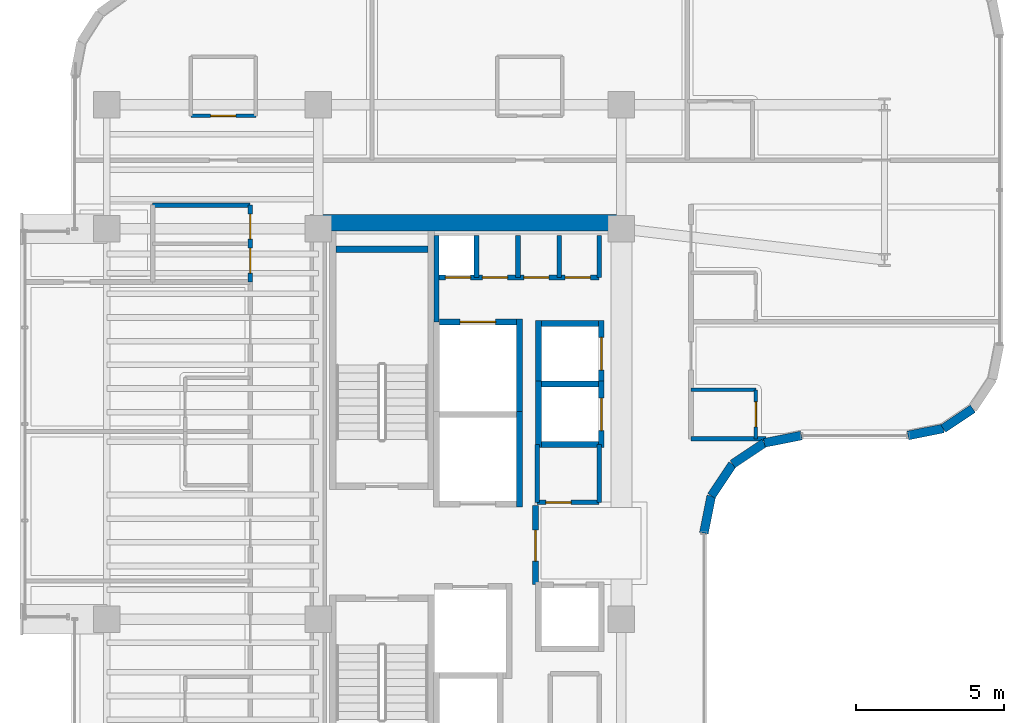
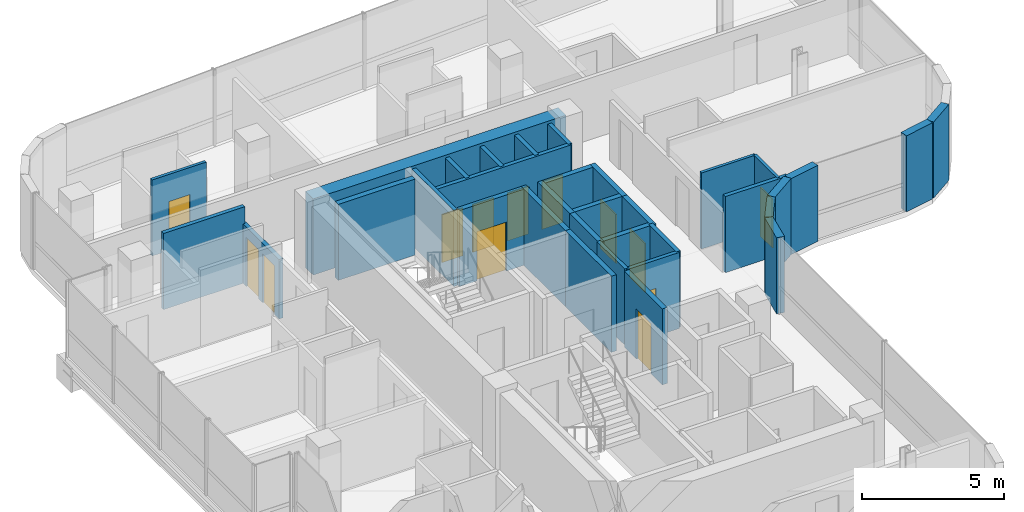
# One storey, part 18 of 22: 34 walls, 13 doors, 13 openings.
"""IFC4 building model written with IfcOpenShell, lengths in metres."""

from ifc_helpers import new_model, si_unit, direction, frame, frame_2d, origin, place, context, subcontext, project, spatial, rectangle, extrude, material, layer, layer_set, type_object, element, fill, save


model = new_model("IFC4")

# Units and contexts
model_context = context("Model", 3, precision=1e-05, world=origin(), true_north=direction((0.0, 1.0)))
body_context = subcontext(model_context, "Body", "Model", "MODEL_VIEW")
ifc_project = project(units=[si_unit("LENGTHUNIT", "METRE"), si_unit("AREAUNIT", "SQUARE_METRE"), si_unit("VOLUMEUNIT", "CUBIC_METRE"), si_unit("PLANEANGLEUNIT", "RADIAN"), si_unit("MASSUNIT", "GRAM", prefix="KILO")], contexts=[model_context])

# Site, building, storey
site_placement = place(None, origin())
site = spatial("IfcSite", under=ifc_project, at=site_placement, CompositionType="ELEMENT")
building_placement = place(site_placement, origin())
building = spatial("IfcBuilding", under=site, at=building_placement, Name="Valdorenza Pilgrim Sanctuary Tower", CompositionType="ELEMENT")
storey_placement = place(building_placement, frame((0.0, 0.0, 216.0)))
storey = spatial("IfcBuildingStorey", under=building, at=storey_placement, Name="L55", CompositionType="ELEMENT", Elevation=216.0)

# Wall
ifc_material_1 = material(Name="Acoustic twin-stud gypsum partition", Category="gypsum")
ifc_layer_1 = layer(ifc_material_1, 0.159912109375, Name="Acoustic twin-stud gypsum partition")
ifc_layer_set_1 = layer_set([ifc_layer_1], Name="Acoustic twin-stud gypsum partition")
wall_type_1 = type_object("IfcWallType", Name="WAL-COR-160", PredefinedType="PARTITIONING", material=ifc_layer_set_1)
wall_1_placement = place(storey_placement, frame((-18.64990234375, 7.449951171875, 0.0), z_axis=(0.0, 0.0, 1.0), x_axis=(0.0, 1.0, 0.0)))
element("IfcWall", 1, at=wall_1_placement, inside=storey, type_object=wall_type_1, Name="L55 Core A North Service West Wall", PredefinedType="PARTITIONING", context=body_context, shape_type="SweptSolid", body=[
    extrude(rectangle(XDim=2.929931640625, YDim=0.159912109375, at=frame_2d((1.46484375, 0.0))), origin(), (0.0, 0.0, 1.0), 3.260009765625),
])

# Wall, openings, doors
wall_2_placement = place(storey_placement, frame((-18.64990234375, 8.949951171875, 0.0), z_axis=(0.0, 0.0, 1.0), x_axis=(1.0, 0.0, 0.0)))
wall_2 = element("IfcWall", 2, at=wall_2_placement, inside=storey, type_object=wall_type_1, Name="L55 Core A North Service South Wall", PredefinedType="PARTITIONING", context=body_context, shape_type="SweptSolid", body=[
    extrude(rectangle(XDim=5.5, YDim=0.159912109375, at=frame_2d((2.75, 0.0))), origin(), (0.0, 0.0, 1.0), 3.260009765625),
])
opening_1_placement = place(wall_2_placement, frame((0.300048828125, 0.0, 0.0)))
opening_1 = element("IfcOpeningElement", 3, at=opening_1_placement, cuts=wall_2, Name="Opening DR-RS1", PredefinedType="OPENING", context=body_context, shape_type="SweptSolid", body=[
    extrude(rectangle(XDim=0.85009765625, YDim=2.050048828125, at=frame_2d((0.425048828125, 1.02490234375))), frame((0.0, 0.0947265625, 0.0), z_axis=(0.0, -1.0, 0.0), x_axis=(1.0, 0.0, 0.0)), (0.0, 0.0, 1.0), 0.189697265625),
])
opening_2_placement = place(wall_2_placement, frame((1.550048828125, 0.0, 0.0)))
opening_2 = element("IfcOpeningElement", 4, at=opening_2_placement, cuts=wall_2, Name="Opening DR-RS1", PredefinedType="OPENING", context=body_context, shape_type="SweptSolid", body=[
    extrude(rectangle(XDim=0.85009765625, YDim=2.050048828125, at=frame_2d((0.425048828125, 1.02490234375))), frame((0.0, 0.0947265625, 0.0), z_axis=(0.0, -1.0, 0.0), x_axis=(1.0, 0.0, 0.0)), (0.0, 0.0, 1.0), 0.189697265625),
])
opening_3_placement = place(wall_2_placement, frame((2.949951171875, 0.0, 0.0)))
opening_3 = element("IfcOpeningElement", 5, at=opening_3_placement, cuts=wall_2, Name="Opening DR-RS1", PredefinedType="OPENING", context=body_context, shape_type="SweptSolid", body=[
    extrude(rectangle(XDim=0.85009765625, YDim=2.050048828125, at=frame_2d((0.425048828125, 1.02490234375))), frame((0.0, 0.0947265625, 0.0), z_axis=(0.0, -1.0, 0.0), x_axis=(1.0, 0.0, 0.0)), (0.0, 0.0, 1.0), 0.189697265625),
])
opening_4_placement = place(wall_2_placement, frame((4.35009765625, 0.0, 0.0)))
opening_4 = element("IfcOpeningElement", 6, at=opening_4_placement, cuts=wall_2, Name="Opening DR-RS1", PredefinedType="OPENING", context=body_context, shape_type="SweptSolid", body=[
    extrude(rectangle(XDim=0.85009765625, YDim=2.050048828125, at=frame_2d((0.425048828125, 1.02490234375))), frame((0.0, 0.0947265625, 0.0), z_axis=(0.0, -1.0, 0.0), x_axis=(1.0, 0.0, 0.0)), (0.0, 0.0, 1.0), 0.189697265625),
])
ifc_material_2 = material(Name="Painted galvanized steel", Category="steel")
door_type_1 = type_object("IfcDoorType", Name="DR-RSR-850", OperationType="NOTDEFINED", PredefinedType="DOOR", material=ifc_material_2)
door_1_placement = place(opening_1_placement, origin())
door_1 = element("IfcDoor", 7, at=door_1_placement, inside=storey, type_object=door_type_1, Name="L55 Core Electrical and Telecom Riser Door", OperationType="SINGLE_SWING_LEFT", OverallHeight=2.050048828125, OverallWidth=0.85009765625, PredefinedType="DOOR", context=body_context, shape_type="SweptSolid", body=[
    extrude(rectangle(XDim=0.85009765625, YDim=2.050048828125, at=frame_2d((0.425048828125, 1.02490234375))), frame((0.0, 0.02490234375, 0.0), z_axis=(0.0, -1.0, 0.0), x_axis=(1.0, 0.0, 0.0)), (0.0, 0.0, 1.0), 0.050048828125),
])
fill(opening_1, door_1)
door_2_placement = place(opening_2_placement, origin())
door_2 = element("IfcDoor", 8, at=door_2_placement, inside=storey, type_object=door_type_1, Name="L55 Housekeeping and Clean Linen Room Door", OperationType="SINGLE_SWING_RIGHT", OverallHeight=2.050048828125, OverallWidth=0.85009765625, PredefinedType="DOOR", context=body_context, shape_type="SweptSolid", body=[
    extrude(rectangle(XDim=0.85009765625, YDim=2.050048828125, at=frame_2d((0.425048828125, 1.02490234375))), frame((0.0, 0.02490234375, 0.0), z_axis=(0.0, -1.0, 0.0), x_axis=(1.0, 0.0, 0.0)), (0.0, 0.0, 1.0), 0.050048828125),
])
fill(opening_2, door_2)
door_3_placement = place(opening_3_placement, origin())
door_3 = element("IfcDoor", 9, at=door_3_placement, inside=storey, type_object=door_type_1, Name="L55 Core IT Server Closet Door", OperationType="SINGLE_SWING_LEFT", OverallHeight=2.050048828125, OverallWidth=0.85009765625, PredefinedType="DOOR", context=body_context, shape_type="SweptSolid", body=[
    extrude(rectangle(XDim=0.85009765625, YDim=2.050048828125, at=frame_2d((0.425048828125, 1.02490234375))), frame((0.0, 0.02490234375, 0.0), z_axis=(0.0, -1.0, 0.0), x_axis=(1.0, 0.0, 0.0)), (0.0, 0.0, 1.0), 0.050048828125),
])
fill(opening_3, door_3)
door_4_placement = place(opening_4_placement, origin())
door_4 = element("IfcDoor", 10, at=door_4_placement, inside=storey, type_object=door_type_1, Name="L55 Core Staff Washroom Door", OperationType="SINGLE_SWING_RIGHT", OverallHeight=2.050048828125, OverallWidth=0.85009765625, PredefinedType="DOOR", context=body_context, shape_type="SweptSolid", body=[
    extrude(rectangle(XDim=0.85009765625, YDim=2.050048828125, at=frame_2d((0.425048828125, 1.02490234375))), frame((0.0, 0.02490234375, 0.0), z_axis=(0.0, -1.0, 0.0), x_axis=(1.0, 0.0, 0.0)), (0.0, 0.0, 1.0), 0.050048828125),
])
fill(opening_4, door_4)

# Walls
for number, where, z_axis, x_axis, name in (
    (11, (-13.14990234375, 8.949951171875, 0.0), (0.0, 0.0, 1.0), (0.0, 1.0, 0.0), "L55 Core A North Service East Wall"),
    (12, (-17.300048828125, 8.949951171875, 0.0), (0.0, 0.0, 1.0), (0.0, 1.0, 0.0), "L55 Core Electrical Riser Wall"),
    (13, (-15.89990234375, 8.949951171875, 0.0), (0.0, 0.0, 1.0), (0.0, 1.0, 0.0), "L55 Core A Split D1"),
    (14, (-14.5, 8.949951171875, 0.0), (0.0, 0.0, 1.0), (0.0, 1.0, 0.0), "L55 Core A Split D2"),
):
    element("IfcWall", number, at=place(storey_placement, frame(where, z_axis=z_axis, x_axis=x_axis)), inside=storey, type_object=wall_type_1, Name=name, PredefinedType="PARTITIONING", context=body_context, shape_type="SweptSolid", body=[
        extrude(rectangle(XDim=1.429931640625, YDim=0.159912109375, at=frame_2d((0.71484375, 0.0))), origin(), (0.0, 0.0, 1.0), 3.260009765625),
    ])
wall_3_placement = place(storey_placement, frame((-13.14990234375, 1.35009765625, 0.0), z_axis=(0.0, 0.0, 1.0), x_axis=(0.0, 1.0, 0.0)))
element("IfcWall", 15, at=wall_3_placement, inside=storey, type_object=wall_type_1, Name="L55 Freed Shaft 6 East Wall", PredefinedType="PARTITIONING", context=body_context, shape_type="SweptSolid", body=[
    extrude(rectangle(XDim=1.949951171875, YDim=0.159912109375, at=frame_2d((0.97509765625, 0.0))), origin(), (0.0, 0.0, 1.0), 3.260009765625),
])

# Wall, openings, doors
wall_4_placement = place(storey_placement, frame((-24.949951171875, 8.800048828125, 0.0), z_axis=(0.0, 0.0, 1.0), x_axis=(0.0, 1.0, 0.0)))
wall_4 = element("IfcWall", 16, at=wall_4_placement, inside=storey, type_object=wall_type_1, Name="L55 Washroom East Wall", PredefinedType="PARTITIONING", context=body_context, shape_type="SweptSolid", body=[
    extrude(rectangle(XDim=2.599853515625, YDim=0.159912109375, at=frame_2d((1.2998046875, 0.0))), origin(), (0.0, 0.0, 1.0), 2.5439453125),
])
opening_5_placement = place(wall_4_placement, frame((0.300048828125, 0.0, 0.0)))
opening_5 = element("IfcOpeningElement", 17, at=opening_5_placement, cuts=wall_4, Name="Opening DR-WC1", PredefinedType="OPENING", context=body_context, shape_type="SweptSolid", body=[
    extrude(rectangle(XDim=0.85009765625, YDim=2.10009765625, at=frame_2d((0.425048828125, 1.050048828125))), frame((0.0, 0.0947265625, 0.0), z_axis=(0.0, -1.0, 0.0), x_axis=(1.0, 0.0, 0.0)), (0.0, 0.0, 1.0), 0.189697265625),
])
opening_6_placement = place(wall_4_placement, frame((1.449951171875, 0.0, 0.0)))
opening_6 = element("IfcOpeningElement", 18, at=opening_6_placement, cuts=wall_4, Name="Opening DR-WC1", PredefinedType="OPENING", context=body_context, shape_type="SweptSolid", body=[
    extrude(rectangle(XDim=0.85009765625, YDim=2.10009765625, at=frame_2d((0.425048828125, 1.050048828125))), frame((0.0, 0.0947265625, 0.0), z_axis=(0.0, -1.0, 0.0), x_axis=(1.0, 0.0, 0.0)), (0.0, 0.0, 1.0), 0.189697265625),
])
ifc_material_3 = material(Name="Moisture-resistant lacquered timber", Category="wood")
door_type_2 = type_object("IfcDoorType", Name="DR-BATH-850", OperationType="NOTDEFINED", PredefinedType="DOOR", material=ifc_material_3)
door_5_placement = place(opening_5_placement, origin())
door_5 = element("IfcDoor", 19, at=door_5_placement, inside=storey, type_object=door_type_2, Name="L55 Accessible Washroom Door", OperationType="SINGLE_SWING_LEFT", OverallHeight=2.10009765625, OverallWidth=0.85009765625, PredefinedType="DOOR", context=body_context, shape_type="SweptSolid", body=[
    extrude(rectangle(XDim=0.85009765625, YDim=2.10009765625, at=frame_2d((0.425048828125, 1.050048828125))), frame((0.0, 0.02490234375, 0.0), z_axis=(0.0, -1.0, 0.0), x_axis=(1.0, 0.0, 0.0)), (0.0, 0.0, 1.0), 0.050048828125),
])
fill(opening_5, door_5)
door_6_placement = place(opening_6_placement, origin())
door_6 = element("IfcDoor", 20, at=door_6_placement, inside=storey, type_object=door_type_2, Name="L55 Public Washroom Door", OperationType="SINGLE_SWING_RIGHT", OverallHeight=2.10009765625, OverallWidth=0.85009765625, PredefinedType="DOOR", context=body_context, shape_type="SweptSolid", body=[
    extrude(rectangle(XDim=0.85009765625, YDim=2.10009765625, at=frame_2d((0.425048828125, 1.050048828125))), frame((0.0, 0.02490234375, 0.0), z_axis=(0.0, -1.0, 0.0), x_axis=(1.0, 0.0, 0.0)), (0.0, 0.0, 1.0), 0.050048828125),
])
fill(opening_6, door_6)

# Walls
wall_5_placement = place(storey_placement, frame((-28.25, 11.39990234375, 0.0), z_axis=(0.0, 0.0, 1.0), x_axis=(1.0, 0.0, 0.0)))
element("IfcWall", 21, at=wall_5_placement, inside=storey, type_object=wall_type_1, Name="L55 Washroom North Wall", PredefinedType="PARTITIONING", context=body_context, shape_type="SweptSolid", body=[
    extrude(rectangle(XDim=3.300048828125, YDim=0.159912109375, at=frame_2d((1.64990234375, 0.0))), origin(), (0.0, 0.0, 1.0), 3.260009765625),
])
wall_6_placement = place(storey_placement, frame((-10.050048828125, 3.5, 0.0), z_axis=(0.0, 0.0, 1.0), x_axis=(1.0, 0.0, 0.0)))
element("IfcWall", 22, at=wall_6_placement, inside=storey, type_object=wall_type_1, Name="L55 East Stub South Wall", PredefinedType="PARTITIONING", context=body_context, shape_type="SweptSolid", body=[
    extrude(rectangle(XDim=2.545654296875, YDim=0.159912109375, at=frame_2d((1.27294921875, 0.0))), origin(), (0.0, 0.0, 1.0), 3.260009765625),
])
ifc_material_4 = material(Name="Concrete C50/60", Category="concrete")
ifc_layer_2 = layer(ifc_material_4, 0.550048828125, Name="Concrete C50/60")
ifc_layer_set_2 = layer_set([ifc_layer_2], Name="Concrete C50/60")
wall_type_2 = type_object("IfcWallType", Name="WAL-COR-550", PredefinedType="SHEAR", material=ifc_layer_set_2)
wall_7_placement = place(storey_placement, frame((-22.64990234375, 10.800048828125, 0.0), z_axis=(0.0, 0.0, 1.0), x_axis=(1.0, 0.0, 0.0)))
element("IfcWall", 23, at=wall_7_placement, inside=storey, type_object=wall_type_2, Name="L55 Split Core A Shear Wall N", PredefinedType="SHEAR", context=body_context, shape_type="SweptSolid", body=[
    extrude(rectangle(XDim=10.25, YDim=0.550048828125, at=frame_2d((5.125, 0.0))), origin(), (0.0, 0.0, 1.0), 3.260009765625),
])
ifc_material_5 = material(Name="Honed travertine limestone", Category="masonry")
ifc_layer_3 = layer(ifc_material_5, 0.300048828125, Name="Honed travertine limestone")
ifc_layer_set_3 = layer_set([ifc_layer_3], Name="Honed travertine limestone")
wall_type_3 = type_object("IfcWallType", Name="WAL-EXT-300", PredefinedType="SOLIDWALL", material=ifc_layer_set_3)
wall_8_placement = place(storey_placement, frame((-0.5166015625, 4.5166015625, 0.0), z_axis=(0.0, 0.0, 1.0), x_axis=(-0.831426265255, -0.555635100982, 0.0)))
element("IfcWall", 24, at=wall_8_placement, inside=storey, type_object=wall_type_3, Name="L55 Rounded Wind-Corner Stone Pier 14", PredefinedType="SOLIDWALL", context=body_context, shape_type="SweptSolid", body=[
    extrude(rectangle(XDim=1.204833984375, YDim=0.300048828125, at=frame_2d((0.6025390625, 0.0))), origin(), (0.0, 0.0, 1.0), 3.260009765625),
])
wall_9_placement = place(storey_placement, frame((-1.518310546875, 3.84716796875, 0.0), z_axis=(0.0, 0.0, 1.0), x_axis=(-0.980804027463, -0.194996050505, 0.0)))
element("IfcWall", 25, at=wall_9_placement, inside=storey, type_object=wall_type_3, Name="L55 Rounded Wind-Corner Stone Pier 15", PredefinedType="SOLIDWALL", context=body_context, shape_type="SweptSolid", body=[
    extrude(rectangle(XDim=1.2158203125, YDim=0.300048828125, at=frame_2d((0.60791015625, 0.0))), origin(), (0.0, 0.0, 1.0), 3.260009765625),
])
wall_10_placement = place(storey_placement, frame((-6.310791015625, 3.610107421875, 0.0), z_axis=(0.0, 0.0, 1.0), x_axis=(-0.980778058848, -0.195126623715, 0.0)))
element("IfcWall", 26, at=wall_10_placement, inside=storey, type_object=wall_type_3, Name="L55 Rounded Wind-Corner Stone Pier 17", PredefinedType="SOLIDWALL", context=body_context, shape_type="SweptSolid", body=[
    extrude(rectangle(XDim=1.28125, YDim=0.300048828125, at=frame_2d((0.640625, 0.0))), origin(), (0.0, 0.0, 1.0), 3.260009765625),
])
for number, where, z_axis, x_axis, name in (
    (27, (-7.5673828125, 3.360107421875, 0.0), (0.0, 0.0, 1.0), (-0.831497739511, -0.555528135371, 0.0), "L55 Rounded Wind-Corner Stone Pier 18"),
    (28, (-8.64208984375, 2.64208984375, 0.0), (0.0, 0.0, 1.0), (-0.555528135371, -0.831497739511, 0.0), "L55 Rounded Wind-Corner Stone Pier 19"),
):
    element("IfcWall", number, at=place(storey_placement, frame(where, z_axis=z_axis, x_axis=x_axis)), inside=storey, type_object=wall_type_3, Name=name, PredefinedType="SOLIDWALL", context=body_context, shape_type="SweptSolid", body=[
        extrude(rectangle(XDim=1.29248046875, YDim=0.300048828125, at=frame_2d((0.646240234375, 0.0))), origin(), (0.0, 0.0, 1.0), 3.260009765625),
    ])
wall_11_placement = place(storey_placement, frame((-9.360107421875, 1.5673828125, 0.0), z_axis=(0.0, 0.0, 1.0), x_axis=(-0.195126623715, -0.980778058848, 0.0)))
element("IfcWall", 29, at=wall_11_placement, inside=storey, type_object=wall_type_3, Name="L55 Rounded Wind-Corner Stone Pier 20", PredefinedType="SOLIDWALL", context=body_context, shape_type="SweptSolid", body=[
    extrude(rectangle(XDim=1.28125, YDim=0.300048828125, at=frame_2d((0.640625, 0.0))), origin(), (0.0, 0.0, 1.0), 3.260009765625),
])

# Wall, opening, door
ifc_material_6 = material(Name="Gypsum shaftwall partition", Category="gypsum")
ifc_layer_4 = layer(ifc_material_6, 0.199951171875, Name="Gypsum shaftwall partition")
ifc_layer_set_4 = layer_set([ifc_layer_4], Name="Gypsum shaftwall partition")
wall_type_4 = type_object("IfcWallType", Name="WAL-FFL-200", PredefinedType="PARTITIONING", material=ifc_layer_set_4)
wall_12_placement = place(storey_placement, frame((-15.300048828125, -1.419921875, 0.0), z_axis=(0.0, 0.0, 1.0), x_axis=(0.0, 1.0, 0.0)))
wall_12 = element("IfcWall", 30, at=wall_12_placement, inside=storey, type_object=wall_type_4, Name="L55 Core A Firefighting Lobby East Wall", PredefinedType="PARTITIONING", context=body_context, shape_type="SweptSolid", body=[
    extrude(rectangle(XDim=2.669921875, YDim=0.199951171875, at=frame_2d((1.3349609375, 0.0))), origin(), (0.0, 0.0, 1.0), 3.260009765625),
])
opening_7_placement = place(wall_12_placement, frame((0.780029296875, 0.0, 0.0)))
opening_7 = element("IfcOpeningElement", 31, at=opening_7_placement, cuts=wall_12, Name="Opening DR-FL1", PredefinedType="OPENING", context=body_context, shape_type="SweptSolid", body=[
    extrude(rectangle(XDim=1.050048828125, YDim=2.14990234375, at=frame_2d((0.52490234375, 1.074951171875))), frame((0.0, 0.11474609375, 0.0), z_axis=(0.0, -1.0, 0.0), x_axis=(1.0, 0.0, 0.0)), (0.0, 0.0, 1.0), 0.229736328125),
])
door_type_3 = type_object("IfcDoorType", Name="DR-FFL-1050", OperationType="NOTDEFINED", PredefinedType="DOOR", material=ifc_material_2)
door_7_placement = place(opening_7_placement, origin())
door_7 = element("IfcDoor", 32, at=door_7_placement, inside=storey, type_object=door_type_3, Name="L55 Core A Firefighting Lobby Door", OperationType="SINGLE_SWING_RIGHT", OverallHeight=2.14990234375, OverallWidth=1.050048828125, PredefinedType="DOOR", context=body_context, shape_type="SweptSolid", body=[
    extrude(rectangle(XDim=1.050048828125, YDim=2.14990234375, at=frame_2d((0.52490234375, 1.074951171875))), frame((0.0, 0.02490234375, 0.0), z_axis=(0.0, -1.0, 0.0), x_axis=(1.0, 0.0, 0.0)), (0.0, 0.0, 1.0), 0.050048828125),
])
fill(opening_7, door_7)

ifc_material_7 = material(Name="Moisture-resistant gypsum partition", Category="gypsum")
ifc_layer_5 = layer(ifc_material_7, 0.1201171875, Name="Moisture-resistant gypsum partition")
ifc_layer_set_5 = layer_set([ifc_layer_5], Name="Moisture-resistant gypsum partition")
wall_type_5 = type_object("IfcWallType", Name="WAL-INT-120", PredefinedType="PARTITIONING", material=ifc_layer_set_5)
wall_13_placement = place(storey_placement, frame((-26.96142578125, 14.419921875, 0.0), z_axis=(0.0, 0.0, 1.0), x_axis=(1.0, 0.0, 0.0)))
wall_13 = element("IfcWall", 33, at=wall_13_placement, inside=storey, type_object=wall_type_5, Name="L55 North Guest Room L55-N1 En-suite Door Wall", PredefinedType="PARTITIONING", context=body_context, shape_type="SweptSolid", body=[
    extrude(rectangle(XDim=2.199951171875, YDim=0.1201171875, at=frame_2d((1.10009765625, 0.0))), origin(), (0.0, 0.0, 1.0), 3.260009765625),
])
opening_8_placement = place(wall_13_placement, frame((0.675048828125, 0.0, 0.0)))
opening_8 = element("IfcOpeningElement", 34, at=opening_8_placement, cuts=wall_13, Name="Opening DR-WC1", PredefinedType="OPENING", context=body_context, shape_type="SweptSolid", body=[
    extrude(rectangle(XDim=0.85009765625, YDim=2.10009765625, at=frame_2d((0.425048828125, 1.050048828125))), frame((0.0, 0.074951171875, 0.0), z_axis=(0.0, -1.0, 0.0), x_axis=(1.0, 0.0, 0.0)), (0.0, 0.0, 1.0), 0.14990234375),
])
door_8_placement = place(opening_8_placement, origin())
door_8 = element("IfcDoor", 35, at=door_8_placement, inside=storey, type_object=door_type_2, Name="L55 North Guest Room L55-N1 En-suite Bathroom Door", OperationType="SINGLE_SWING_LEFT", OverallHeight=2.10009765625, OverallWidth=0.85009765625, PredefinedType="DOOR", context=body_context, shape_type="SweptSolid", body=[
    extrude(rectangle(XDim=0.85009765625, YDim=2.10009765625, at=frame_2d((0.425048828125, 1.050048828125))), frame((0.0, 0.02490234375, 0.0), z_axis=(0.0, -1.0, 0.0), x_axis=(1.0, 0.0, 0.0)), (0.0, 0.0, 1.0), 0.050048828125),
])
fill(opening_8, door_8)

# Wall
wall_14_placement = place(storey_placement, frame((-10.050048828125, 5.14990234375, 0.0), z_axis=(0.0, 0.0, 1.0), x_axis=(1.0, 0.0, 0.0)))
element("IfcWall", 36, at=wall_14_placement, inside=storey, type_object=wall_type_5, Name="L55 East Sanctuary Guest Room L55-E1 En-suite North Wall", PredefinedType="PARTITIONING", context=body_context, shape_type="SweptSolid", body=[
    extrude(rectangle(XDim=2.199951171875, YDim=0.1201171875, at=frame_2d((1.10009765625, 0.0))), origin(), (0.0, 0.0, 1.0), 3.260009765625),
])

# Wall, opening, door
wall_15_placement = place(storey_placement, frame((-7.85009765625, 3.5, 0.0), z_axis=(0.0, 0.0, 1.0), x_axis=(0.0, 1.0, 0.0)))
wall_15 = element("IfcWall", 37, at=wall_15_placement, inside=storey, type_object=wall_type_5, Name="L55 East Sanctuary Guest Room L55-E1 En-suite Door Wall", PredefinedType="PARTITIONING", context=body_context, shape_type="SweptSolid", body=[
    extrude(rectangle(XDim=1.64990234375, YDim=0.1201171875, at=frame_2d((0.824951171875, 0.0))), origin(), (0.0, 0.0, 1.0), 3.260009765625),
])
opening_9_placement = place(wall_15_placement, frame((0.39990234375, 0.0, 0.0)))
opening_9 = element("IfcOpeningElement", 38, at=opening_9_placement, cuts=wall_15, Name="Opening DR-WC1", PredefinedType="OPENING", context=body_context, shape_type="SweptSolid", body=[
    extrude(rectangle(XDim=0.85009765625, YDim=2.10009765625, at=frame_2d((0.425048828125, 1.050048828125))), frame((0.0, 0.074951171875, 0.0), z_axis=(0.0, -1.0, 0.0), x_axis=(1.0, 0.0, 0.0)), (0.0, 0.0, 1.0), 0.14990234375),
])
door_9_placement = place(opening_9_placement, origin())
door_9 = element("IfcDoor", 39, at=door_9_placement, inside=storey, type_object=door_type_2, Name="L55 East Sanctuary Guest Room L55-E1 En-suite Bathroom Door", OperationType="SINGLE_SWING_LEFT", OverallHeight=2.10009765625, OverallWidth=0.85009765625, PredefinedType="DOOR", context=body_context, shape_type="SweptSolid", body=[
    extrude(rectangle(XDim=0.85009765625, YDim=2.10009765625, at=frame_2d((0.425048828125, 1.050048828125))), frame((0.0, 0.02490234375, 0.0), z_axis=(0.0, -1.0, 0.0), x_axis=(1.0, 0.0, 0.0)), (0.0, 0.0, 1.0), 0.050048828125),
])
fill(opening_9, door_9)

# Walls
ifc_material_8 = material(Name="Autoclaved aerated concrete blockwork", Category="masonry")
ifc_layer_6 = layer(ifc_material_8, 0.199951171875, Name="Autoclaved aerated concrete blockwork")
ifc_layer_set_6 = layer_set([ifc_layer_6], Name="Autoclaved aerated concrete blockwork")
wall_type_6 = type_object("IfcWallType", Name="WAL-SHF-200", PredefinedType="MOVABLE", material=ifc_layer_set_6)
wall_16_placement = place(storey_placement, frame((-15.85009765625, 1.199951171875, 0.0), z_axis=(0.0, 0.0, 1.0), x_axis=(0.0, 1.0, 0.0)))
element("IfcWall", 40, at=wall_16_placement, inside=storey, type_object=wall_type_6, Name="L55 Lift FFL-01 Hoistway Wall East", PredefinedType="MOVABLE", context=body_context, shape_type="SweptSolid", body=[
    extrude(rectangle(XDim=3.22509765625, YDim=0.199951171875, at=frame_2d((1.612548828125, 0.0))), origin(), (0.0, 0.0, 1.0), 3.260009765625),
])
wall_17_placement = place(storey_placement, frame((-15.85009765625, 4.22509765625, 0.0), z_axis=(0.0, 0.0, 1.0), x_axis=(0.0, 1.0, 0.0)))
element("IfcWall", 41, at=wall_17_placement, inside=storey, type_object=wall_type_6, Name="L55 Lift SVL-01 Hoistway Wall East", PredefinedType="MOVABLE", context=body_context, shape_type="SweptSolid", body=[
    extrude(rectangle(XDim=3.324951171875, YDim=0.199951171875, at=frame_2d((1.66259765625, 0.0))), origin(), (0.0, 0.0, 1.0), 3.260009765625),
])

# Wall, opening, door
wall_18_placement = place(storey_placement, frame((-18.550048828125, 7.449951171875, 0.0), z_axis=(0.0, 0.0, 1.0), x_axis=(1.0, 0.0, 0.0)))
wall_18 = element("IfcWall", 42, at=wall_18_placement, inside=storey, type_object=wall_type_6, Name="L55 Lift SVL-01 Hoistway Wall North", PredefinedType="MOVABLE", context=body_context, shape_type="SweptSolid", body=[
    extrude(rectangle(XDim=2.60009765625, YDim=0.199951171875, at=frame_2d((1.300048828125, 0.0))), origin(), (0.0, 0.0, 1.0), 3.260009765625),
])
opening_10_placement = place(wall_18_placement, frame((0.699951171875, 0.0, 0.0)))
opening_10 = element("IfcOpeningElement", 43, at=opening_10_placement, cuts=wall_18, Name="Opening LD-02", PredefinedType="OPENING", context=body_context, shape_type="SweptSolid", body=[
    extrude(rectangle(XDim=1.199951171875, YDim=2.10009765625, at=frame_2d((0.60009765625, 1.050048828125))), frame((0.0, 0.11474609375, 0.0), z_axis=(0.0, -1.0, 0.0), x_axis=(1.0, 0.0, 0.0)), (0.0, 0.0, 1.0), 0.229736328125),
])
ifc_material_9 = material(Name="Brushed stainless steel Grade 316", Category="steel")
door_type_4 = type_object("IfcDoorType", Name="DR-LFT-1200", OperationType="DOUBLE_DOOR_SLIDING", PredefinedType="DOOR", material=ifc_material_9)
door_10_placement = place(opening_10_placement, origin())
door_10 = element("IfcDoor", 44, at=door_10_placement, inside=storey, type_object=door_type_4, Name="L55 Lift SVL-01 Sliding Landing Door", OperationType="DOUBLE_DOOR_SLIDING", OverallHeight=2.10009765625, OverallWidth=1.199951171875, PredefinedType="DOOR", context=body_context, shape_type="SweptSolid", body=[
    extrude(rectangle(XDim=1.199951171875, YDim=2.10009765625, at=frame_2d((0.60009765625, 1.050048828125))), frame((0.0, 0.02490234375, 0.0), z_axis=(0.0, -1.0, 0.0), x_axis=(1.0, 0.0, 0.0)), (0.0, 0.0, 1.0), 0.050048828125),
])
fill(opening_10, door_10)

# Wall
wall_19_placement = place(storey_placement, frame((-15.199951171875, 3.199951171875, 0.0), z_axis=(0.0, 0.0, 1.0), x_axis=(0.0, 1.0, 0.0)))
element("IfcWall", 45, at=wall_19_placement, inside=storey, type_object=wall_type_6, Name="L55 Lift PL-09 Hoistway Wall West", PredefinedType="MOVABLE", context=body_context, shape_type="SweptSolid", body=[
    extrude(rectangle(XDim=2.25, YDim=0.199951171875, at=frame_2d((1.125, 0.0))), origin(), (0.0, 0.0, 1.0), 3.260009765625),
])

# Wall, opening, door
wall_20_placement = place(storey_placement, frame((-13.080078125, 3.199951171875, 0.0), z_axis=(0.0, 0.0, 1.0), x_axis=(0.0, 1.0, 0.0)))
wall_20 = element("IfcWall", 46, at=wall_20_placement, inside=storey, type_object=wall_type_6, Name="L55 Lift PL-09 Hoistway Wall East", PredefinedType="MOVABLE", context=body_context, shape_type="SweptSolid", body=[
    extrude(rectangle(XDim=2.25, YDim=0.199951171875, at=frame_2d((1.125, 0.0))), origin(), (0.0, 0.0, 1.0), 3.260009765625),
])
opening_11_placement = place(wall_20_placement, frame((0.574951171875, 0.0, 0.0)))
opening_11 = element("IfcOpeningElement", 47, at=opening_11_placement, cuts=wall_20, Name="Opening LD-01", PredefinedType="OPENING", context=body_context, shape_type="SweptSolid", body=[
    extrude(rectangle(XDim=1.10009765625, YDim=2.10009765625, at=frame_2d((0.550048828125, 1.050048828125))), frame((0.0, 0.11474609375, 0.0), z_axis=(0.0, -1.0, 0.0), x_axis=(1.0, 0.0, 0.0)), (0.0, 0.0, 1.0), 0.229736328125),
])
door_type_5 = type_object("IfcDoorType", Name="DR-LFT-1100", OperationType="DOUBLE_DOOR_SLIDING", PredefinedType="DOOR", material=ifc_material_9)
door_11_placement = place(opening_11_placement, origin())
door_11 = element("IfcDoor", 48, at=door_11_placement, inside=storey, type_object=door_type_5, Name="L55 Lift PL-09 Sliding Landing Door", OperationType="DOUBLE_DOOR_SLIDING", OverallHeight=2.10009765625, OverallWidth=1.10009765625, PredefinedType="DOOR", context=body_context, shape_type="SweptSolid", body=[
    extrude(rectangle(XDim=1.10009765625, YDim=2.10009765625, at=frame_2d((0.550048828125, 1.050048828125))), frame((0.0, 0.02490234375, 0.0), z_axis=(0.0, -1.0, 0.0), x_axis=(1.0, 0.0, 0.0)), (0.0, 0.0, 1.0), 0.050048828125),
])
fill(opening_11, door_11)

# Walls
for number, where, z_axis, x_axis, name in (
    (49, (-15.10009765625, 3.300048828125, 0.0), (0.0, 0.0, 1.0), (1.0, 0.0, 0.0), "L55 Lift PL-09 Hoistway Wall South"),
    (50, (-15.10009765625, 5.35009765625, 0.0), (0.0, 0.0, 1.0), (1.0, 0.0, 0.0), "L55 Lift PL-09 Hoistway Wall North"),
):
    element("IfcWall", number, at=place(storey_placement, frame(where, z_axis=z_axis, x_axis=x_axis)), inside=storey, type_object=wall_type_6, Name=name, PredefinedType="MOVABLE", context=body_context, shape_type="SweptSolid", body=[
        extrude(rectangle(XDim=1.920166015625, YDim=0.199951171875, at=frame_2d((0.9599609375, 0.0))), origin(), (0.0, 0.0, 1.0), 3.260009765625),
    ])
wall_21_placement = place(storey_placement, frame((-15.199951171875, 5.25, 0.0), z_axis=(0.0, 0.0, 1.0), x_axis=(0.0, 1.0, 0.0)))
element("IfcWall", 51, at=wall_21_placement, inside=storey, type_object=wall_type_6, Name="L55 Lift PL-10 Hoistway Wall West", PredefinedType="MOVABLE", context=body_context, shape_type="SweptSolid", body=[
    extrude(rectangle(XDim=2.25, YDim=0.199951171875, at=frame_2d((1.125, 0.0))), origin(), (0.0, 0.0, 1.0), 3.260009765625),
])

# Wall, opening, door
wall_22_placement = place(storey_placement, frame((-13.080078125, 5.25, 0.0), z_axis=(0.0, 0.0, 1.0), x_axis=(0.0, 1.0, 0.0)))
wall_22 = element("IfcWall", 52, at=wall_22_placement, inside=storey, type_object=wall_type_6, Name="L55 Lift PL-10 Hoistway Wall East", PredefinedType="MOVABLE", context=body_context, shape_type="SweptSolid", body=[
    extrude(rectangle(XDim=2.25, YDim=0.199951171875, at=frame_2d((1.125, 0.0))), origin(), (0.0, 0.0, 1.0), 3.260009765625),
])
opening_12_placement = place(wall_22_placement, frame((0.574951171875, 0.0, 0.0)))
opening_12 = element("IfcOpeningElement", 53, at=opening_12_placement, cuts=wall_22, Name="Opening LD-01", PredefinedType="OPENING", context=body_context, shape_type="SweptSolid", body=[
    extrude(rectangle(XDim=1.10009765625, YDim=2.10009765625, at=frame_2d((0.550048828125, 1.050048828125))), frame((0.0, 0.11474609375, 0.0), z_axis=(0.0, -1.0, 0.0), x_axis=(1.0, 0.0, 0.0)), (0.0, 0.0, 1.0), 0.229736328125),
])
door_12_placement = place(opening_12_placement, origin())
door_12 = element("IfcDoor", 54, at=door_12_placement, inside=storey, type_object=door_type_5, Name="L55 Lift PL-10 Sliding Landing Door", OperationType="DOUBLE_DOOR_SLIDING", OverallHeight=2.10009765625, OverallWidth=1.10009765625, PredefinedType="DOOR", context=body_context, shape_type="SweptSolid", body=[
    extrude(rectangle(XDim=1.10009765625, YDim=2.10009765625, at=frame_2d((0.550048828125, 1.050048828125))), frame((0.0, 0.02490234375, 0.0), z_axis=(0.0, -1.0, 0.0), x_axis=(1.0, 0.0, 0.0)), (0.0, 0.0, 1.0), 0.050048828125),
])
fill(opening_12, door_12)

# Walls
wall_23_placement = place(storey_placement, frame((-15.10009765625, 7.39990234375, 0.0), z_axis=(0.0, 0.0, 1.0), x_axis=(1.0, 0.0, 0.0)))
element("IfcWall", 55, at=wall_23_placement, inside=storey, type_object=wall_type_6, Name="L55 Lift PL-10 Hoistway Wall North", PredefinedType="MOVABLE", context=body_context, shape_type="SweptSolid", body=[
    extrude(rectangle(XDim=1.920166015625, YDim=0.199951171875, at=frame_2d((0.9599609375, 0.0))), origin(), (0.0, 0.0, 1.0), 3.260009765625),
])
ifc_material_10 = material(Name="Concrete C40/50", Category="concrete")
ifc_layer_7 = layer(ifc_material_10, 0.219970703125, Name="Concrete C40/50")
ifc_layer_set_7 = layer_set([ifc_layer_7], Name="Concrete C40/50")
wall_type_7 = type_object("IfcWallType", Name="WAL-STR-SHF-220", PredefinedType="SHEAR", material=ifc_layer_set_7)
wall_24_placement = place(storey_placement, frame((-22.050048828125, 9.909912109375, 0.0), z_axis=(0.0, 0.0, 1.0), x_axis=(1.0, 0.0, 0.0)))
element("IfcWall", 56, at=wall_24_placement, inside=storey, type_object=wall_type_7, Name="L55 ST-A1 Structural Stairwell Wall N", PredefinedType="SHEAR", context=body_context, shape_type="SweptSolid", body=[
    extrude(rectangle(XDim=3.110107421875, YDim=0.219970703125, at=frame_2d((1.55517578125, 0.0))), origin(), (0.0, 0.0, 1.0), 3.260009765625),
])
ifc_layer_8 = layer(ifc_material_1, 0.14990234375, Name="Acoustic twin-stud gypsum partition")
ifc_layer_set_8 = layer_set([ifc_layer_8], Name="Acoustic twin-stud gypsum partition")
wall_type_8 = type_object("IfcWallType", Name="WAL-UNT-150", PredefinedType="PARTITIONING", material=ifc_layer_set_8)
wall_25_placement = place(storey_placement, frame((-15.25, 1.35009765625, 0.0), z_axis=(0.0, 0.0, 1.0), x_axis=(0.0, 1.0, 0.0)))
element("IfcWall", 57, at=wall_25_placement, inside=storey, type_object=wall_type_8, Name="L55 Freed Shaft 6 West Wall", PredefinedType="PARTITIONING", context=body_context, shape_type="SweptSolid", body=[
    extrude(rectangle(XDim=1.949951171875, YDim=0.14990234375, at=frame_2d((0.97509765625, 0.0))), origin(), (0.0, 0.0, 1.0), 3.260009765625),
])

# Wall, opening, door
wall_26_placement = place(storey_placement, frame((-15.25, 1.35009765625, 0.0), z_axis=(0.0, 0.0, 1.0), x_axis=(1.0, 0.0, 0.0)))
wall_26 = element("IfcWall", 58, at=wall_26_placement, inside=storey, type_object=wall_type_8, Name="L55 Freed Shaft 6 South Wall", PredefinedType="PARTITIONING", context=body_context, shape_type="SweptSolid", body=[
    extrude(rectangle(XDim=2.10009765625, YDim=0.14990234375, at=frame_2d((1.050048828125, 0.0))), origin(), (0.0, 0.0, 1.0), 3.260009765625),
])
opening_13_placement = place(wall_26_placement, frame((0.300048828125, 0.0, 0.0)))
opening_13 = element("IfcOpeningElement", 59, at=opening_13_placement, cuts=wall_26, Name="Opening DR-RS1", PredefinedType="OPENING", context=body_context, shape_type="SweptSolid", body=[
    extrude(rectangle(XDim=0.85009765625, YDim=2.050048828125, at=frame_2d((0.425048828125, 1.02490234375))), frame((0.0, 0.08984375, 0.0), z_axis=(0.0, -1.0, 0.0), x_axis=(1.0, 0.0, 0.0)), (0.0, 0.0, 1.0), 0.1796875),
])
door_13_placement = place(opening_13_placement, origin())
door_13 = element("IfcDoor", 60, at=door_13_placement, inside=storey, type_object=door_type_1, Name="L55 High-Rise Butler Pantry Door", OperationType="SINGLE_SWING_RIGHT", OverallHeight=2.050048828125, OverallWidth=0.85009765625, PredefinedType="DOOR", context=body_context, shape_type="SweptSolid", body=[
    extrude(rectangle(XDim=0.85009765625, YDim=2.050048828125, at=frame_2d((0.425048828125, 1.02490234375))), frame((0.0, 0.02490234375, 0.0), z_axis=(0.0, -1.0, 0.0), x_axis=(1.0, 0.0, 0.0)), (0.0, 0.0, 1.0), 0.050048828125),
])
fill(opening_13, door_13)

save(model, "model.ifc")
